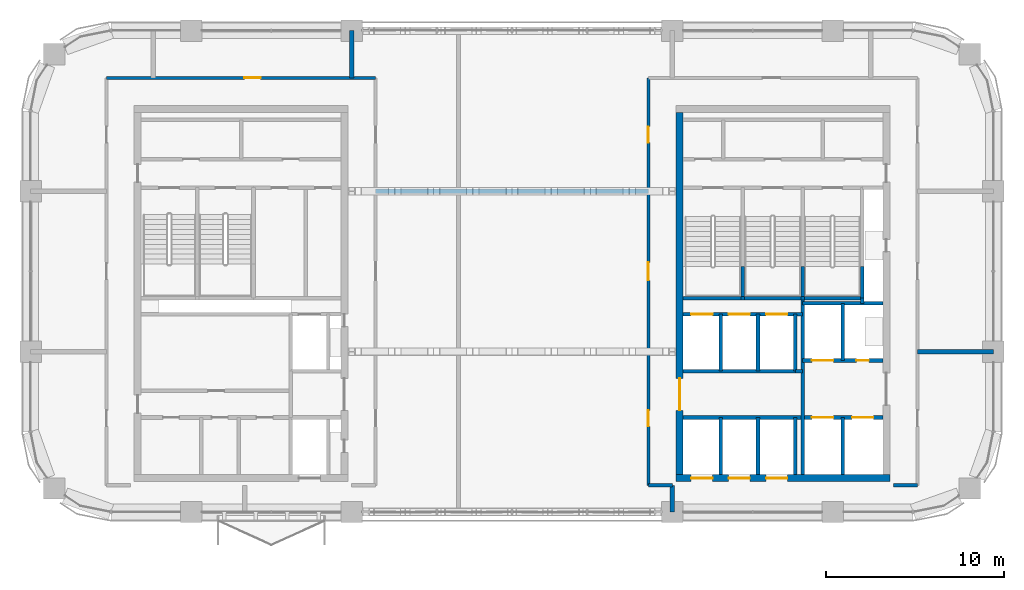
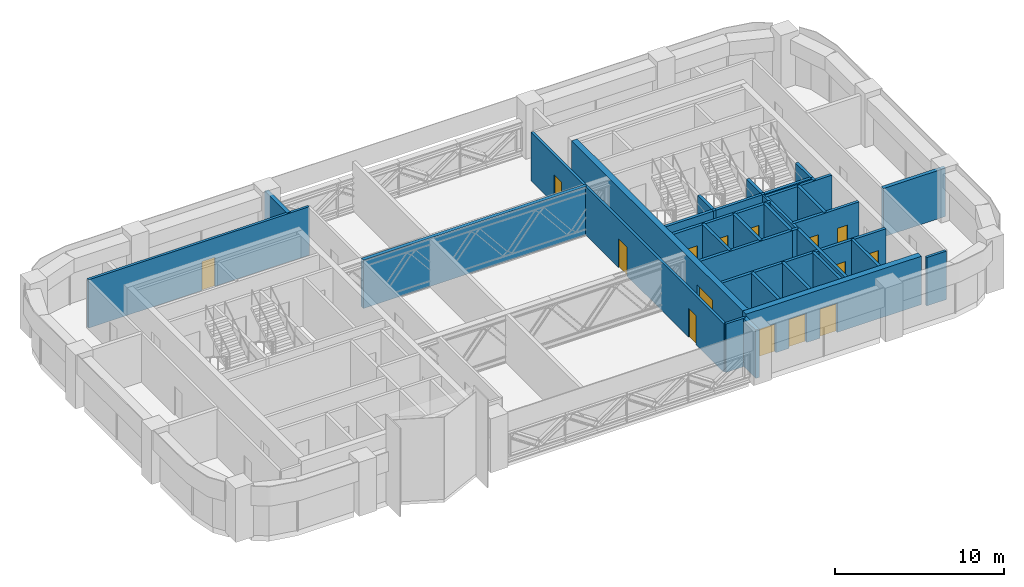
# One storey, part 10 of 14: 34 walls, 15 doors, 15 openings.
"""IFC4 building model written with IfcOpenShell, lengths in metres."""

from ifc_helpers import new_model, si_unit, direction, frame, frame_2d, origin, place, context, subcontext, project, spatial, rectangle, extrude, material, layer, layer_set, type_object, element, fill, save


model = new_model("IFC4")

# Units and contexts
model_context = context("Model", 3, precision=1e-05, world=origin(), true_north=direction((0.0, 1.0)))
body_context = subcontext(model_context, "Body", "Model", "MODEL_VIEW")
ifc_project = project(units=[si_unit("LENGTHUNIT", "METRE"), si_unit("AREAUNIT", "SQUARE_METRE"), si_unit("VOLUMEUNIT", "CUBIC_METRE"), si_unit("PLANEANGLEUNIT", "RADIAN"), si_unit("MASSUNIT", "GRAM", prefix="KILO")], contexts=[model_context])

# Site, building, storey
site_placement = place(None, origin())
site = spatial("IfcSite", under=ifc_project, at=site_placement, CompositionType="ELEMENT")
building_placement = place(site_placement, origin())
building = spatial("IfcBuilding", under=site, at=building_placement, Name="Tessera Arch", CompositionType="ELEMENT")
storey_placement = place(building_placement, frame((0.0, 0.0, 226.699951171875)))
storey = spatial("IfcBuildingStorey", under=building, at=storey_placement, Name="L54", CompositionType="ELEMENT", Elevation=226.699951171875)

# Wall
ifc_material_1 = material(Name="Gypsum board on steel stud", Category="steel")
ifc_layer_1 = layer(ifc_material_1, 0.125)
ifc_layer_set_1 = layer_set([ifc_layer_1], Name="Core partition 125 EI 60")
wall_type_1 = type_object("IfcWallType", Name="Core partition 125 EI 60", PredefinedType="PARTITIONING", material=ifc_layer_set_1)
wall_1_placement = place(storey_placement, frame((42.89990234375, 34.89990234375, 0.0), z_axis=(0.0, 0.0, 1.0), x_axis=(1.0, 0.0, 0.0)))
element("IfcWall", 1, at=wall_1_placement, inside=storey, type_object=wall_type_1, Name="L54 C1 partition wall 20", PredefinedType="PARTITIONING", context=body_context, shape_type="SweptSolid", body=[
    extrude(rectangle(XDim=0.400146484375, YDim=0.199951171875, at=frame_2d((0.2001953125, 0.0))), origin(), (0.0, 0.0, 1.0), 3.5),
])

# Wall, openings, doors
ifc_material_2 = material(Name="Concrete C50/60", Category="concrete")
ifc_layer_2 = layer(ifc_material_2, 0.39990234375)
ifc_layer_set_2 = layer_set([ifc_layer_2], Name="Core shell wall 400 C50-60")
wall_type_2 = type_object("IfcWallType", Name="Core shell wall 400 C50-60", PredefinedType="SHEAR", material=ifc_layer_set_2)
wall_2_placement = place(storey_placement, frame((36.199951171875, 28.89990234375, 0.0), z_axis=(0.0, 0.0, 1.0), x_axis=(1.0, 0.0, 0.0)))
wall_2 = element("IfcWall", 2, at=wall_2_placement, inside=storey, type_object=wall_type_2, Name="L54 C1 core wall S", PredefinedType="SHEAR", context=body_context, shape_type="SweptSolid", body=[
    extrude(rectangle(XDim=12.0, YDim=0.39990234375, at=frame_2d((6.0, 0.0))), origin(), (0.0, 0.0, 1.0), 3.5),
])
opening_1_placement = place(wall_2_placement, frame((0.85009765625, 0.0, 0.0)))
opening_1 = element("IfcOpeningElement", 3, at=opening_1_placement, cuts=wall_2, Name="Opening L54-C01", PredefinedType="OPENING", context=body_context, shape_type="SweptSolid", body=[
    extrude(rectangle(XDim=1.199951171875, YDim=2.10009765625, at=frame_2d((0.60009765625, 1.050048828125))), frame((0.0, 0.2099609375, 0.0), z_axis=(0.0, -1.0, 0.0), x_axis=(1.0, 0.0, 0.0)), (0.0, 0.0, 1.0), 0.419921875),
])
opening_2_placement = place(wall_2_placement, frame((2.949951171875, 0.0, 0.0)))
opening_2 = element("IfcOpeningElement", 4, at=opening_2_placement, cuts=wall_2, Name="Opening L54-C03", PredefinedType="OPENING", context=body_context, shape_type="SweptSolid", body=[
    extrude(rectangle(XDim=1.199951171875, YDim=2.10009765625, at=frame_2d((0.60009765625, 1.050048828125))), frame((0.0, 0.2099609375, 0.0), z_axis=(0.0, -1.0, 0.0), x_axis=(1.0, 0.0, 0.0)), (0.0, 0.0, 1.0), 0.419921875),
])
opening_3_placement = place(wall_2_placement, frame((5.050048828125, 0.0, 0.0)))
opening_3 = element("IfcOpeningElement", 5, at=opening_3_placement, cuts=wall_2, Name="Opening L54-C05", PredefinedType="OPENING", context=body_context, shape_type="SweptSolid", body=[
    extrude(rectangle(XDim=1.199951171875, YDim=2.10009765625, at=frame_2d((0.60009765625, 1.050048828125))), frame((0.0, 0.2099609375, 0.0), z_axis=(0.0, -1.0, 0.0), x_axis=(1.0, 0.0, 0.0)), (0.0, 0.0, 1.0), 0.419921875),
])
ifc_material_3 = material(Name="Stainless steel AISI 304", Category="steel")
door_type_1 = type_object("IfcDoorType", Name="Sliding landing door 1200 x 2100", OperationType="SLIDING_TO_LEFT", PredefinedType="DOOR", material=ifc_material_3)
door_1_placement = place(opening_1_placement, origin())
door_1 = element("IfcDoor", 6, at=door_1_placement, inside=storey, type_object=door_type_1, Name="L54 HR1 lift landing door C01 type LD", OperationType="SLIDING_TO_LEFT", OverallHeight=2.10009765625, OverallWidth=1.199951171875, PredefinedType="DOOR", context=body_context, shape_type="SweptSolid", body=[
    extrude(rectangle(XDim=1.199951171875, YDim=2.10009765625, at=frame_2d((0.60009765625, 1.050048828125))), frame((0.0, 0.02490234375, 0.0), z_axis=(0.0, -1.0, 0.0), x_axis=(1.0, 0.0, 0.0)), (0.0, 0.0, 1.0), 0.050048828125),
])
fill(opening_1, door_1)
door_2_placement = place(opening_2_placement, origin())
door_2 = element("IfcDoor", 7, at=door_2_placement, inside=storey, type_object=door_type_1, Name="L54 HR2 lift landing door C03 type LD", OperationType="SLIDING_TO_LEFT", OverallHeight=2.10009765625, OverallWidth=1.199951171875, PredefinedType="DOOR", context=body_context, shape_type="SweptSolid", body=[
    extrude(rectangle(XDim=1.199951171875, YDim=2.10009765625, at=frame_2d((0.60009765625, 1.050048828125))), frame((0.0, 0.02490234375, 0.0), z_axis=(0.0, -1.0, 0.0), x_axis=(1.0, 0.0, 0.0)), (0.0, 0.0, 1.0), 0.050048828125),
])
fill(opening_2, door_2)
door_3_placement = place(opening_3_placement, origin())
door_3 = element("IfcDoor", 8, at=door_3_placement, inside=storey, type_object=door_type_1, Name="L54 HR3 lift landing door C05 type LD", OperationType="SLIDING_TO_LEFT", OverallHeight=2.10009765625, OverallWidth=1.199951171875, PredefinedType="DOOR", context=body_context, shape_type="SweptSolid", body=[
    extrude(rectangle(XDim=1.199951171875, YDim=2.10009765625, at=frame_2d((0.60009765625, 1.050048828125))), frame((0.0, 0.02490234375, 0.0), z_axis=(0.0, -1.0, 0.0), x_axis=(1.0, 0.0, 0.0)), (0.0, 0.0, 1.0), 0.050048828125),
])
fill(opening_3, door_3)

# Wall, opening, door
wall_3_placement = place(storey_placement, frame((36.39990234375, 29.10009765625, 0.0), z_axis=(0.0, 0.0, 1.0), x_axis=(0.0, 1.0, 0.0)))
wall_3 = element("IfcWall", 9, at=wall_3_placement, inside=storey, type_object=wall_type_2, Name="L54 C1 core wall W", PredefinedType="SHEAR", context=body_context, shape_type="SweptSolid", body=[
    extrude(rectangle(XDim=20.2998046875, YDim=0.39990234375, at=frame_2d((10.14990234375, 0.0))), origin(), (0.0, 0.0, 1.0), 3.5),
])
opening_4_placement = place(wall_3_placement, frame((3.60009765625, 0.0, 0.0)))
opening_4 = element("IfcOpeningElement", 10, at=opening_4_placement, cuts=wall_3, Name="Opening L54-C10", PredefinedType="OPENING", context=body_context, shape_type="SweptSolid", body=[
    extrude(rectangle(XDim=1.800048828125, YDim=2.10009765625, at=frame_2d((0.89990234375, 1.050048828125))), frame((0.0, 0.2099609375, 0.0), z_axis=(0.0, -1.0, 0.0), x_axis=(1.0, 0.0, 0.0)), (0.0, 0.0, 1.0), 0.419921875),
])
ifc_material_4 = material(Name="Glazed steel door leaf", Category="steel")
door_type_2 = type_object("IfcDoorType", Name="Lobby double door FD30S 1800 x 2100", OperationType="DOUBLE_DOOR_SINGLE_SWING", PredefinedType="DOOR", material=ifc_material_4)
door_4_placement = place(opening_4_placement, origin())
door_4 = element("IfcDoor", 11, at=door_4_placement, inside=storey, type_object=door_type_2, Name="L54 C1 door 10 C10 type D06", OperationType="DOUBLE_DOOR_SINGLE_SWING", OverallHeight=2.10009765625, OverallWidth=1.800048828125, PredefinedType="DOOR", context=body_context, shape_type="SweptSolid", body=[
    extrude(rectangle(XDim=1.800048828125, YDim=2.10009765625, at=frame_2d((0.89990234375, 1.050048828125))), frame((0.0, 0.02490234375, 0.0), z_axis=(0.0, -1.0, 0.0), x_axis=(1.0, 0.0, 0.0)), (0.0, 0.0, 1.0), 0.050048828125),
])
fill(opening_4, door_4)

# Walls
ifc_material_5 = material(Name="Gypsum board on deep steel stud with mineral wool", Category="steel")
ifc_layer_3 = layer(ifc_material_5, 0.175048828125)
ifc_layer_set_3 = layer_set([ifc_layer_3], Name="Corridor wall 175 EI 60")
wall_type_3 = type_object("IfcWallType", Name="Corridor wall 175 EI 60", PredefinedType="PARTITIONING", material=ifc_layer_set_3)
for number, where, z_axis, x_axis, name in (
    (12, (34.64990234375, 28.5, 0.0), (0.0, 0.0, 1.0), (1.0, 0.0, 0.0), "L54 partition 3"),
    (13, (48.39990234375, 28.5, 0.0), (0.0, 0.0, 1.0), (1.0, 0.0, 0.0), "L54 partition 4"),
):
    element("IfcWall", number, at=place(storey_placement, frame(where, z_axis=z_axis, x_axis=x_axis)), inside=storey, type_object=wall_type_3, Name=name, PredefinedType="PARTITIONING", context=body_context, shape_type="SweptSolid", body=[
        extrude(rectangle(XDim=1.35009765625, YDim=0.175048828125, at=frame_2d((0.675048828125, 0.0))), origin(), (0.0, 0.0, 1.0), 3.5),
    ])

# Wall, opening, door
wall_4_placement = place(storey_placement, frame((4.25, 51.35009765625, 0.0), z_axis=(0.0, 0.0, 1.0), x_axis=(1.0, 0.0, 0.0)))
wall_4 = element("IfcWall", 14, at=wall_4_placement, inside=storey, type_object=wall_type_3, Name="L54 partition 5", PredefinedType="PARTITIONING", context=body_context, shape_type="SweptSolid", body=[
    extrude(rectangle(XDim=15.10009765625, YDim=0.175048828125, at=frame_2d((7.550048828125, 0.0))), origin(), (0.0, 0.0, 1.0), 3.5),
])
opening_5_placement = place(wall_4_placement, frame((7.7431640625, 0.0, 0.0)))
opening_5 = element("IfcOpeningElement", 15, at=opening_5_placement, cuts=wall_4, Name="Opening L54-D013", PredefinedType="OPENING", context=body_context, shape_type="SweptSolid", body=[
    extrude(rectangle(XDim=0.89990234375, YDim=2.10009765625, at=frame_2d((0.449951171875, 1.050048828125))), frame((0.0, 0.097412109375, 0.0), z_axis=(0.0, -1.0, 0.0), x_axis=(1.0, 0.0, 0.0)), (0.0, 0.0, 1.0), 0.195068359375),
])
ifc_material_6 = material(Name="Timber door leaf", Category="wood")
door_type_3 = type_object("IfcDoorType", Name="Room door 900 x 2100", OperationType="SINGLE_SWING_LEFT", PredefinedType="DOOR", material=ifc_material_6)
door_5_placement = place(opening_5_placement, origin())
door_5 = element("IfcDoor", 16, at=door_5_placement, inside=storey, type_object=door_type_3, Name="L54 door D013 type D01", OperationType="SINGLE_SWING_LEFT", OverallHeight=2.10009765625, OverallWidth=0.89990234375, PredefinedType="DOOR", context=body_context, shape_type="SweptSolid", body=[
    extrude(rectangle(XDim=0.89990234375, YDim=2.10009765625, at=frame_2d((0.449951171875, 1.050048828125))), frame((0.0, 0.02490234375, 0.0), z_axis=(0.0, -1.0, 0.0), x_axis=(1.0, 0.0, 0.0)), (0.0, 0.0, 1.0), 0.050048828125),
])
fill(opening_5, door_5)

# Wall, openings, doors
wall_5_placement = place(storey_placement, frame((34.64990234375, 28.5, 0.0), z_axis=(0.0, 0.0, 1.0), x_axis=(0.0, 1.0, 0.0)))
wall_5 = element("IfcWall", 17, at=wall_5_placement, inside=storey, type_object=wall_type_3, Name="L54 partition 9", PredefinedType="PARTITIONING", context=body_context, shape_type="SweptSolid", body=[
    extrude(rectangle(XDim=22.85009765625, YDim=0.175048828125, at=frame_2d((11.425048828125, 0.0))), origin(), (0.0, 0.0, 1.0), 3.5),
])
opening_6_placement = place(wall_5_placement, frame((3.300048828125, 0.0, 0.0)))
opening_6 = element("IfcOpeningElement", 18, at=opening_6_placement, cuts=wall_5, Name="Opening L54-D004", PredefinedType="OPENING", context=body_context, shape_type="SweptSolid", body=[
    extrude(rectangle(XDim=0.89990234375, YDim=2.10009765625, at=frame_2d((0.449951171875, 1.050048828125))), frame((0.0, 0.097412109375, 0.0), z_axis=(0.0, -1.0, 0.0), x_axis=(1.0, 0.0, 0.0)), (0.0, 0.0, 1.0), 0.195068359375),
])
opening_7_placement = place(wall_5_placement, frame((11.5, 0.0, 0.0)))
opening_7 = element("IfcOpeningElement", 19, at=opening_7_placement, cuts=wall_5, Name="Opening L54-D007", PredefinedType="OPENING", context=body_context, shape_type="SweptSolid", body=[
    extrude(rectangle(XDim=1.0, YDim=2.10009765625, at=frame_2d((0.5, 1.050048828125))), frame((0.0, 0.097412109375, 0.0), z_axis=(0.0, -1.0, 0.0), x_axis=(1.0, 0.0, 0.0)), (0.0, 0.0, 1.0), 0.195068359375),
])
opening_8_placement = place(wall_5_placement, frame((19.22509765625, 0.0, 0.0)))
opening_8 = element("IfcOpeningElement", 20, at=opening_8_placement, cuts=wall_5, Name="Opening L54-D010", PredefinedType="OPENING", context=body_context, shape_type="SweptSolid", body=[
    extrude(rectangle(XDim=0.89990234375, YDim=2.10009765625, at=frame_2d((0.449951171875, 1.050048828125))), frame((0.0, 0.097412109375, 0.0), z_axis=(0.0, -1.0, 0.0), x_axis=(1.0, 0.0, 0.0)), (0.0, 0.0, 1.0), 0.195068359375),
])
ifc_material_7 = material(Name="Fire-rated door leaf")
door_type_4 = type_object("IfcDoorType", Name="Entrance door FD30S 1000 x 2100", OperationType="SINGLE_SWING_LEFT", PredefinedType="DOOR", material=ifc_material_7)
door_6_placement = place(opening_7_placement, origin())
door_6 = element("IfcDoor", 21, at=door_6_placement, inside=storey, type_object=door_type_4, Name="L54 door D007 type D03", OperationType="SINGLE_SWING_LEFT", OverallHeight=2.10009765625, OverallWidth=1.0, PredefinedType="DOOR", context=body_context, shape_type="SweptSolid", body=[
    extrude(rectangle(XDim=1.0, YDim=2.10009765625, at=frame_2d((0.5, 1.050048828125))), frame((0.0, 0.02490234375, 0.0), z_axis=(0.0, -1.0, 0.0), x_axis=(1.0, 0.0, 0.0)), (0.0, 0.0, 1.0), 0.050048828125),
])
fill(opening_7, door_6)
door_7_placement = place(opening_6_placement, origin())
door_7 = element("IfcDoor", 22, at=door_7_placement, inside=storey, type_object=door_type_3, Name="L54 door D004 type D01", OperationType="SINGLE_SWING_RIGHT", OverallHeight=2.10009765625, OverallWidth=0.89990234375, PredefinedType="DOOR", context=body_context, shape_type="SweptSolid", body=[
    extrude(rectangle(XDim=0.89990234375, YDim=2.10009765625, at=frame_2d((0.449951171875, 1.050048828125))), frame((0.0, 0.02490234375, 0.0), z_axis=(0.0, -1.0, 0.0), x_axis=(1.0, 0.0, 0.0)), (0.0, 0.0, 1.0), 0.050048828125),
])
fill(opening_6, door_7)
door_8_placement = place(opening_8_placement, origin())
door_8 = element("IfcDoor", 23, at=door_8_placement, inside=storey, type_object=door_type_3, Name="L54 door D010 type D01", OperationType="SINGLE_SWING_RIGHT", OverallHeight=2.10009765625, OverallWidth=0.89990234375, PredefinedType="DOOR", context=body_context, shape_type="SweptSolid", body=[
    extrude(rectangle(XDim=0.89990234375, YDim=2.10009765625, at=frame_2d((0.449951171875, 1.050048828125))), frame((0.0, 0.02490234375, 0.0), z_axis=(0.0, -1.0, 0.0), x_axis=(1.0, 0.0, 0.0)), (0.0, 0.0, 1.0), 0.050048828125),
])
fill(opening_8, door_8)

# Walls
ifc_material_8 = material(Name="Double gypsum board on twin steel stud with acoustic mineral wool", Category="steel")
ifc_layer_4 = layer(ifc_material_8, 0.25)
ifc_layer_set_4 = layer_set([ifc_layer_4], Name="Party wall 250 EI 60")
wall_type_4 = type_object("IfcWallType", Name="Party wall 250 EI 60", PredefinedType="PARTITIONING", material=ifc_layer_set_4)
wall_6_placement = place(storey_placement, frame((49.75, 36.0, 0.0), z_axis=(0.0, 0.0, 1.0), x_axis=(1.0, 0.0, 0.0)))
element("IfcWall", 24, at=wall_6_placement, inside=storey, type_object=wall_type_4, Name="L54 partition 13", PredefinedType="PARTITIONING", context=body_context, shape_type="SweptSolid", body=[
    extrude(rectangle(XDim=4.25, YDim=0.25, at=frame_2d((2.125, 0.0))), origin(), (0.0, 0.0, 1.0), 3.5),
])
wall_7_placement = place(storey_placement, frame((19.35009765625, 45.0, 0.0), z_axis=(0.0, 0.0, 1.0), x_axis=(1.0, 0.0, 0.0)))
element("IfcWall", 25, at=wall_7_placement, inside=storey, type_object=wall_type_4, Name="L54 partition 15", PredefinedType="PARTITIONING", context=body_context, shape_type="SweptSolid", body=[
    extrude(rectangle(XDim=15.2998046875, YDim=0.25, at=frame_2d((7.64990234375, 0.0))), origin(), (0.0, 0.0, 1.0), 3.5),
])
wall_8_placement = place(storey_placement, frame((18.0, 51.35009765625, 0.0), z_axis=(0.0, 0.0, 1.0), x_axis=(0.0, 1.0, 0.0)))
element("IfcWall", 26, at=wall_8_placement, inside=storey, type_object=wall_type_4, Name="L54 partition 19", PredefinedType="PARTITIONING", context=body_context, shape_type="SweptSolid", body=[
    extrude(rectangle(XDim=2.64990234375, YDim=0.25, at=frame_2d((1.324951171875, 0.0))), origin(), (0.0, 0.0, 1.0), 3.5),
])
wall_9_placement = place(storey_placement, frame((36.0, 27.0, 0.0), z_axis=(0.0, 0.0, 1.0), x_axis=(0.0, 1.0, 0.0)))
element("IfcWall", 27, at=wall_9_placement, inside=storey, type_object=wall_type_4, Name="L54 partition 21", PredefinedType="PARTITIONING", context=body_context, shape_type="SweptSolid", body=[
    extrude(rectangle(XDim=1.5, YDim=0.25, at=frame_2d((0.75, 0.0))), origin(), (0.0, 0.0, 1.0), 3.5),
])
ifc_material_9 = material(Name="Concrete C40/50", Category="concrete")
ifc_layer_5 = layer(ifc_material_9, 0.199951171875)
ifc_layer_set_5 = layer_set([ifc_layer_5], Name="Shaft wall 200 EI 120")
wall_type_5 = type_object("IfcWallType", Name="Shaft wall 200 EI 120", PredefinedType="SOLIDWALL", material=ifc_layer_set_5)
wall_10_placement = place(storey_placement, frame((38.699951171875, 29.10009765625, 0.0), z_axis=(0.0, 0.0, 1.0), x_axis=(0.0, 1.0, 0.0)))
element("IfcWall", 28, at=wall_10_placement, inside=storey, type_object=wall_type_5, Name="L54 C1 shaft wall 1", PredefinedType="SOLIDWALL", context=body_context, shape_type="SweptSolid", body=[
    extrude(rectangle(XDim=3.199951171875, YDim=0.199951171875, at=frame_2d((1.60009765625, 0.0))), origin(), (0.0, 0.0, 1.0), 3.5),
])
wall_11_placement = place(storey_placement, frame((38.699951171875, 34.89990234375, 0.0), z_axis=(0.0, 0.0, 1.0), x_axis=(0.0, 1.0, 0.0)))
element("IfcWall", 29, at=wall_11_placement, inside=storey, type_object=wall_type_5, Name="L54 C1 shaft wall 2", PredefinedType="SOLIDWALL", context=body_context, shape_type="SweptSolid", body=[
    extrude(rectangle(XDim=3.2001953125, YDim=0.199951171875, at=frame_2d((1.60009765625, 0.0))), origin(), (0.0, 0.0, 1.0), 3.5),
])
wall_12_placement = place(storey_placement, frame((40.800048828125, 29.10009765625, 0.0), z_axis=(0.0, 0.0, 1.0), x_axis=(0.0, 1.0, 0.0)))
element("IfcWall", 30, at=wall_12_placement, inside=storey, type_object=wall_type_5, Name="L54 C1 shaft wall 6", PredefinedType="SOLIDWALL", context=body_context, shape_type="SweptSolid", body=[
    extrude(rectangle(XDim=3.199951171875, YDim=0.199951171875, at=frame_2d((1.60009765625, 0.0))), origin(), (0.0, 0.0, 1.0), 3.5),
])
wall_13_placement = place(storey_placement, frame((40.800048828125, 34.89990234375, 0.0), z_axis=(0.0, 0.0, 1.0), x_axis=(0.0, 1.0, 0.0)))
element("IfcWall", 31, at=wall_13_placement, inside=storey, type_object=wall_type_5, Name="L54 C1 shaft wall 7", PredefinedType="SOLIDWALL", context=body_context, shape_type="SweptSolid", body=[
    extrude(rectangle(XDim=3.2001953125, YDim=0.199951171875, at=frame_2d((1.60009765625, 0.0))), origin(), (0.0, 0.0, 1.0), 3.5),
])
wall_14_placement = place(storey_placement, frame((42.89990234375, 29.10009765625, 0.0), z_axis=(0.0, 0.0, 1.0), x_axis=(0.0, 1.0, 0.0)))
element("IfcWall", 32, at=wall_14_placement, inside=storey, type_object=wall_type_5, Name="L54 C1 shaft wall 8", PredefinedType="SOLIDWALL", context=body_context, shape_type="SweptSolid", body=[
    extrude(rectangle(XDim=3.199951171875, YDim=0.199951171875, at=frame_2d((1.60009765625, 0.0))), origin(), (0.0, 0.0, 1.0), 3.5),
])
wall_15_placement = place(storey_placement, frame((42.89990234375, 34.89990234375, 0.0), z_axis=(0.0, 0.0, 1.0), x_axis=(0.0, 1.0, 0.0)))
element("IfcWall", 33, at=wall_15_placement, inside=storey, type_object=wall_type_5, Name="L54 C1 shaft wall 9", PredefinedType="SOLIDWALL", context=body_context, shape_type="SweptSolid", body=[
    extrude(rectangle(XDim=3.2001953125, YDim=0.199951171875, at=frame_2d((1.60009765625, 0.0))), origin(), (0.0, 0.0, 1.0), 3.5),
])
wall_16_placement = place(storey_placement, frame((43.300048828125, 29.10009765625, 0.0), z_axis=(0.0, 0.0, 1.0), x_axis=(0.0, 1.0, 0.0)))
element("IfcWall", 34, at=wall_16_placement, inside=storey, type_object=wall_type_5, Name="L54 C1 shaft wall 10", PredefinedType="SOLIDWALL", context=body_context, shape_type="SweptSolid", body=[
    extrude(rectangle(XDim=9.89990234375, YDim=0.199951171875, at=frame_2d((4.949951171875, 0.0))), origin(), (0.0, 0.0, 1.0), 3.5),
])
for number, where, z_axis, x_axis, name in (
    (35, (45.550048828125, 29.10009765625, 0.0), (0.0, 0.0, 1.0), (0.0, 1.0, 0.0), "L54 C1 shaft wall 14"),
    (36, (45.550048828125, 35.5, 0.0), (0.0, 0.0, 1.0), (0.0, 1.0, 0.0), "L54 C1 shaft wall 15"),
):
    element("IfcWall", number, at=place(storey_placement, frame(where, z_axis=z_axis, x_axis=x_axis)), inside=storey, type_object=wall_type_5, Name=name, PredefinedType="SOLIDWALL", context=body_context, shape_type="SweptSolid", body=[
        extrude(rectangle(XDim=3.199951171875, YDim=0.199951171875, at=frame_2d((1.60009765625, 0.0))), origin(), (0.0, 0.0, 1.0), 3.5),
    ])
wall_17_placement = place(storey_placement, frame((46.64990234375, 38.699951171875, 0.0), z_axis=(0.0, 0.0, 1.0), x_axis=(0.0, 1.0, 0.0)))
element("IfcWall", 37, at=wall_17_placement, inside=storey, type_object=wall_type_5, Name="L54 C1 shaft wall 16", PredefinedType="SOLIDWALL", context=body_context, shape_type="SweptSolid", body=[
    extrude(rectangle(XDim=0.300048828125, YDim=0.199951171875, at=frame_2d((0.14990234375, 0.0))), origin(), (0.0, 0.0, 1.0), 3.5),
])

# Wall, openings, doors
wall_18_placement = place(storey_placement, frame((36.60009765625, 32.300048828125, 0.0), z_axis=(0.0, 0.0, 1.0), x_axis=(1.0, 0.0, 0.0)))
wall_18 = element("IfcWall", 38, at=wall_18_placement, inside=storey, type_object=wall_type_5, Name="L54 C1 shaft wall 19", PredefinedType="SOLIDWALL", context=body_context, shape_type="SweptSolid", body=[
    extrude(rectangle(XDim=11.199951171875, YDim=0.199951171875, at=frame_2d((5.60009765625, 0.0))), origin(), (0.0, 0.0, 1.0), 3.5),
])
opening_9_placement = place(wall_18_placement, frame((7.22509765625, 0.0, 0.0)))
opening_9 = element("IfcOpeningElement", 39, at=opening_9_placement, cuts=wall_18, Name="Opening L54-C07", PredefinedType="OPENING", context=body_context, shape_type="SweptSolid", body=[
    extrude(rectangle(XDim=1.199951171875, YDim=2.10009765625, at=frame_2d((0.60009765625, 1.050048828125))), frame((0.0, 0.10986328125, 0.0), z_axis=(0.0, -1.0, 0.0), x_axis=(1.0, 0.0, 0.0)), (0.0, 0.0, 1.0), 0.219970703125),
])
opening_10_placement = place(wall_18_placement, frame((9.47509765625, 0.0, 0.0)))
opening_10 = element("IfcOpeningElement", 40, at=opening_10_placement, cuts=wall_18, Name="Opening L54-C08", PredefinedType="OPENING", context=body_context, shape_type="SweptSolid", body=[
    extrude(rectangle(XDim=1.199951171875, YDim=2.10009765625, at=frame_2d((0.60009765625, 1.050048828125))), frame((0.0, 0.10986328125, 0.0), z_axis=(0.0, -1.0, 0.0), x_axis=(1.0, 0.0, 0.0)), (0.0, 0.0, 1.0), 0.219970703125),
])
door_9_placement = place(opening_9_placement, origin())
door_9 = element("IfcDoor", 41, at=door_9_placement, inside=storey, type_object=door_type_1, Name="L54 FF1 lift landing door C07 type LD", OperationType="SLIDING_TO_LEFT", OverallHeight=2.10009765625, OverallWidth=1.199951171875, PredefinedType="DOOR", context=body_context, shape_type="SweptSolid", body=[
    extrude(rectangle(XDim=1.199951171875, YDim=2.10009765625, at=frame_2d((0.60009765625, 1.050048828125))), frame((0.0, 0.02490234375, 0.0), z_axis=(0.0, -1.0, 0.0), x_axis=(1.0, 0.0, 0.0)), (0.0, 0.0, 1.0), 0.050048828125),
])
fill(opening_9, door_9)
door_10_placement = place(opening_10_placement, origin())
door_10 = element("IfcDoor", 42, at=door_10_placement, inside=storey, type_object=door_type_1, Name="L54 FF2 lift landing door C08 type LD", OperationType="SLIDING_TO_LEFT", OverallHeight=2.10009765625, OverallWidth=1.199951171875, PredefinedType="DOOR", context=body_context, shape_type="SweptSolid", body=[
    extrude(rectangle(XDim=1.199951171875, YDim=2.10009765625, at=frame_2d((0.60009765625, 1.050048828125))), frame((0.0, 0.02490234375, 0.0), z_axis=(0.0, -1.0, 0.0), x_axis=(1.0, 0.0, 0.0)), (0.0, 0.0, 1.0), 0.050048828125),
])
fill(opening_10, door_10)

# Wall
wall_19_placement = place(storey_placement, frame((36.60009765625, 34.89990234375, 0.0), z_axis=(0.0, 0.0, 1.0), x_axis=(1.0, 0.0, 0.0)))
element("IfcWall", 43, at=wall_19_placement, inside=storey, type_object=wall_type_5, Name="L54 C1 shaft wall 21", PredefinedType="SOLIDWALL", context=body_context, shape_type="SweptSolid", body=[
    extrude(rectangle(XDim=6.2998046875, YDim=0.199951171875, at=frame_2d((3.14990234375, 0.0))), origin(), (0.0, 0.0, 1.0), 3.5),
])

# Wall, openings, doors
wall_20_placement = place(storey_placement, frame((43.300048828125, 35.5, 0.0), z_axis=(0.0, 0.0, 1.0), x_axis=(1.0, 0.0, 0.0)))
wall_20 = element("IfcWall", 44, at=wall_20_placement, inside=storey, type_object=wall_type_5, Name="L54 C1 shaft wall 22", PredefinedType="SOLIDWALL", context=body_context, shape_type="SweptSolid", body=[
    extrude(rectangle(XDim=4.5, YDim=0.199951171875, at=frame_2d((2.25, 0.0))), origin(), (0.0, 0.0, 1.0), 3.5),
])
opening_11_placement = place(wall_20_placement, frame((0.52490234375, 0.0, 0.0)))
opening_11 = element("IfcOpeningElement", 45, at=opening_11_placement, cuts=wall_20, Name="Opening L54-C09", PredefinedType="OPENING", context=body_context, shape_type="SweptSolid", body=[
    extrude(rectangle(XDim=1.199951171875, YDim=2.10009765625, at=frame_2d((0.60009765625, 1.050048828125))), frame((0.0, 0.10986328125, 0.0), z_axis=(0.0, -1.0, 0.0), x_axis=(1.0, 0.0, 0.0)), (0.0, 0.0, 1.0), 0.219970703125),
])
opening_12_placement = place(wall_20_placement, frame((3.02490234375, 0.0, 0.0)))
opening_12 = element("IfcOpeningElement", 46, at=opening_12_placement, cuts=wall_20, Name="Opening L54-C16", PredefinedType="OPENING", context=body_context, shape_type="SweptSolid", body=[
    extrude(rectangle(XDim=0.699951171875, YDim=2.10009765625, at=frame_2d((0.35009765625, 1.050048828125))), frame((0.0, 0.10986328125, 0.0), z_axis=(0.0, -1.0, 0.0), x_axis=(1.0, 0.0, 0.0)), (0.0, 0.0, 1.0), 0.219970703125),
])
ifc_material_10 = material(Name="Steel door leaf", Category="steel")
door_type_5 = type_object("IfcDoorType", Name="Service shaft door FD60 700 x 2100", OperationType="SINGLE_SWING_LEFT", PredefinedType="DOOR", material=ifc_material_10)
door_11_placement = place(opening_12_placement, origin())
door_11 = element("IfcDoor", 47, at=door_11_placement, inside=storey, type_object=door_type_5, Name="L54 C1 door 16 C16 type D07", OperationType="SINGLE_SWING_RIGHT", OverallHeight=2.10009765625, OverallWidth=0.699951171875, PredefinedType="DOOR", context=body_context, shape_type="SweptSolid", body=[
    extrude(rectangle(XDim=0.699951171875, YDim=2.10009765625, at=frame_2d((0.35009765625, 1.050048828125))), frame((0.0, 0.02490234375, 0.0), z_axis=(0.0, -1.0, 0.0), x_axis=(1.0, 0.0, 0.0)), (0.0, 0.0, 1.0), 0.050048828125),
])
fill(opening_12, door_11)
door_12_placement = place(opening_11_placement, origin())
door_12 = element("IfcDoor", 48, at=door_12_placement, inside=storey, type_object=door_type_1, Name="L54 SV2 lift landing door C09 type LD", OperationType="SLIDING_TO_LEFT", OverallHeight=2.10009765625, OverallWidth=1.199951171875, PredefinedType="DOOR", context=body_context, shape_type="SweptSolid", body=[
    extrude(rectangle(XDim=1.199951171875, YDim=2.10009765625, at=frame_2d((0.60009765625, 1.050048828125))), frame((0.0, 0.02490234375, 0.0), z_axis=(0.0, -1.0, 0.0), x_axis=(1.0, 0.0, 0.0)), (0.0, 0.0, 1.0), 0.050048828125),
])
fill(opening_11, door_12)

wall_21_placement = place(storey_placement, frame((36.60009765625, 38.10009765625, 0.0), z_axis=(0.0, 0.0, 1.0), x_axis=(1.0, 0.0, 0.0)))
wall_21 = element("IfcWall", 49, at=wall_21_placement, inside=storey, type_object=wall_type_5, Name="L54 C1 shaft wall 23", PredefinedType="SOLIDWALL", context=body_context, shape_type="SweptSolid", body=[
    extrude(rectangle(XDim=6.699951171875, YDim=0.199951171875, at=frame_2d((3.35009765625, 0.0))), origin(), (0.0, 0.0, 1.0), 3.5),
])
opening_13_placement = place(wall_21_placement, frame((0.449951171875, 0.0, 0.0)))
opening_13 = element("IfcOpeningElement", 50, at=opening_13_placement, cuts=wall_21, Name="Opening L54-C02", PredefinedType="OPENING", context=body_context, shape_type="SweptSolid", body=[
    extrude(rectangle(XDim=1.199951171875, YDim=2.10009765625, at=frame_2d((0.60009765625, 1.050048828125))), frame((0.0, 0.10986328125, 0.0), z_axis=(0.0, -1.0, 0.0), x_axis=(1.0, 0.0, 0.0)), (0.0, 0.0, 1.0), 0.219970703125),
])
opening_14_placement = place(wall_21_placement, frame((2.550048828125, 0.0, 0.0)))
opening_14 = element("IfcOpeningElement", 51, at=opening_14_placement, cuts=wall_21, Name="Opening L54-C04", PredefinedType="OPENING", context=body_context, shape_type="SweptSolid", body=[
    extrude(rectangle(XDim=1.199951171875, YDim=2.10009765625, at=frame_2d((0.60009765625, 1.050048828125))), frame((0.0, 0.10986328125, 0.0), z_axis=(0.0, -1.0, 0.0), x_axis=(1.0, 0.0, 0.0)), (0.0, 0.0, 1.0), 0.219970703125),
])
opening_15_placement = place(wall_21_placement, frame((4.64990234375, 0.0, 0.0)))
opening_15 = element("IfcOpeningElement", 52, at=opening_15_placement, cuts=wall_21, Name="Opening L54-C06", PredefinedType="OPENING", context=body_context, shape_type="SweptSolid", body=[
    extrude(rectangle(XDim=1.199951171875, YDim=2.10009765625, at=frame_2d((0.60009765625, 1.050048828125))), frame((0.0, 0.10986328125, 0.0), z_axis=(0.0, -1.0, 0.0), x_axis=(1.0, 0.0, 0.0)), (0.0, 0.0, 1.0), 0.219970703125),
])
door_13_placement = place(opening_13_placement, origin())
door_13 = element("IfcDoor", 53, at=door_13_placement, inside=storey, type_object=door_type_1, Name="L54 HR4 lift landing door C02 type LD", OperationType="SLIDING_TO_LEFT", OverallHeight=2.10009765625, OverallWidth=1.199951171875, PredefinedType="DOOR", context=body_context, shape_type="SweptSolid", body=[
    extrude(rectangle(XDim=1.199951171875, YDim=2.10009765625, at=frame_2d((0.60009765625, 1.050048828125))), frame((0.0, 0.02490234375, 0.0), z_axis=(0.0, -1.0, 0.0), x_axis=(1.0, 0.0, 0.0)), (0.0, 0.0, 1.0), 0.050048828125),
])
fill(opening_13, door_13)
door_14_placement = place(opening_14_placement, origin())
door_14 = element("IfcDoor", 54, at=door_14_placement, inside=storey, type_object=door_type_1, Name="L54 HR5 lift landing door C04 type LD", OperationType="SLIDING_TO_LEFT", OverallHeight=2.10009765625, OverallWidth=1.199951171875, PredefinedType="DOOR", context=body_context, shape_type="SweptSolid", body=[
    extrude(rectangle(XDim=1.199951171875, YDim=2.10009765625, at=frame_2d((0.60009765625, 1.050048828125))), frame((0.0, 0.02490234375, 0.0), z_axis=(0.0, -1.0, 0.0), x_axis=(1.0, 0.0, 0.0)), (0.0, 0.0, 1.0), 0.050048828125),
])
fill(opening_14, door_14)
door_15_placement = place(opening_15_placement, origin())
door_15 = element("IfcDoor", 55, at=door_15_placement, inside=storey, type_object=door_type_1, Name="L54 HR6 lift landing door C06 type LD", OperationType="SLIDING_TO_LEFT", OverallHeight=2.10009765625, OverallWidth=1.199951171875, PredefinedType="DOOR", context=body_context, shape_type="SweptSolid", body=[
    extrude(rectangle(XDim=1.199951171875, YDim=2.10009765625, at=frame_2d((0.60009765625, 1.050048828125))), frame((0.0, 0.02490234375, 0.0), z_axis=(0.0, -1.0, 0.0), x_axis=(1.0, 0.0, 0.0)), (0.0, 0.0, 1.0), 0.050048828125),
])
fill(opening_15, door_15)

# Walls
wall_22_placement = place(storey_placement, frame((43.300048828125, 38.699951171875, 0.0), z_axis=(0.0, 0.0, 1.0), x_axis=(1.0, 0.0, 0.0)))
element("IfcWall", 56, at=wall_22_placement, inside=storey, type_object=wall_type_5, Name="L54 C1 shaft wall 24", PredefinedType="SOLIDWALL", context=body_context, shape_type="SweptSolid", body=[
    extrude(rectangle(XDim=4.5, YDim=0.199951171875, at=frame_2d((2.25, 0.0))), origin(), (0.0, 0.0, 1.0), 3.5),
])
ifc_material_11 = material(Name="Concrete C40/50", Category="concrete")
ifc_layer_6 = layer(ifc_material_11, 0.199951171875)
ifc_layer_set_6 = layer_set([ifc_layer_6], Name="Stair well wall 200 REI 180")
wall_type_6 = type_object("IfcWallType", Name="Stair well wall 200 REI 180", PredefinedType="SOLIDWALL", material=ifc_layer_set_6)
for number, where, z_axis, x_axis, name in (
    (57, (39.949951171875, 39.0, 0.0), (0.0, 0.0, 1.0), (0.0, 1.0, 0.0), "L54 C1 shaft wall 4"),
    (58, (43.300048828125, 39.0, 0.0), (0.0, 0.0, 1.0), (0.0, 1.0, 0.0), "L54 C1 shaft wall 11"),
    (59, (46.64990234375, 39.0, 0.0), (0.0, 0.0, 1.0), (0.0, 1.0, 0.0), "L54 C1 shaft wall 17"),
):
    element("IfcWall", number, at=place(storey_placement, frame(where, z_axis=z_axis, x_axis=x_axis)), inside=storey, type_object=wall_type_6, Name=name, PredefinedType="SOLIDWALL", context=body_context, shape_type="SweptSolid", body=[
        extrude(rectangle(XDim=1.780029296875, YDim=0.199951171875, at=frame_2d((0.89013671875, 0.0))), origin(), (0.0, 0.0, 1.0), 3.5),
    ])
wall_23_placement = place(storey_placement, frame((36.60009765625, 39.0, 0.0), z_axis=(0.0, 0.0, 1.0), x_axis=(1.0, 0.0, 0.0)))
element("IfcWall", 60, at=wall_23_placement, inside=storey, type_object=wall_type_6, Name="L54 C1 shaft wall 25", PredefinedType="SOLIDWALL", context=body_context, shape_type="SweptSolid", body=[
    extrude(rectangle(XDim=3.25, YDim=0.199951171875, at=frame_2d((1.625, 0.0))), origin(), (0.0, 0.0, 1.0), 3.5),
])
wall_24_placement = place(storey_placement, frame((39.85009765625, 39.0, 0.0), z_axis=(0.0, 0.0, 1.0), x_axis=(1.0, 0.0, 0.0)))
element("IfcWall", 61, at=wall_24_placement, inside=storey, type_object=wall_type_6, Name="L54 C1 shaft wall 26", PredefinedType="SOLIDWALL", context=body_context, shape_type="SweptSolid", body=[
    extrude(rectangle(XDim=0.199951171875, YDim=0.199951171875, at=frame_2d((0.10009765625, 0.0))), origin(), (0.0, 0.0, 1.0), 3.5),
])
wall_25_placement = place(storey_placement, frame((40.050048828125, 39.0, 0.0), z_axis=(0.0, 0.0, 1.0), x_axis=(1.0, 0.0, 0.0)))
element("IfcWall", 62, at=wall_25_placement, inside=storey, type_object=wall_type_6, Name="L54 C1 shaft wall 27", PredefinedType="SOLIDWALL", context=body_context, shape_type="SweptSolid", body=[
    extrude(rectangle(XDim=3.14990234375, YDim=0.199951171875, at=frame_2d((1.574951171875, 0.0))), origin(), (0.0, 0.0, 1.0), 3.5),
])
wall_26_placement = place(storey_placement, frame((43.199951171875, 39.0, 0.0), z_axis=(0.0, 0.0, 1.0), x_axis=(1.0, 0.0, 0.0)))
element("IfcWall", 63, at=wall_26_placement, inside=storey, type_object=wall_type_6, Name="L54 C1 shaft wall 28", PredefinedType="SOLIDWALL", context=body_context, shape_type="SweptSolid", body=[
    extrude(rectangle(XDim=0.199951171875, YDim=0.199951171875, at=frame_2d((0.10009765625, 0.0))), origin(), (0.0, 0.0, 1.0), 3.5),
])
wall_27_placement = place(storey_placement, frame((43.39990234375, 39.0, 0.0), z_axis=(0.0, 0.0, 1.0), x_axis=(1.0, 0.0, 0.0)))
element("IfcWall", 64, at=wall_27_placement, inside=storey, type_object=wall_type_6, Name="L54 C1 shaft wall 29", PredefinedType="SOLIDWALL", context=body_context, shape_type="SweptSolid", body=[
    extrude(rectangle(XDim=3.25, YDim=0.199951171875, at=frame_2d((1.625, 0.0))), origin(), (0.0, 0.0, 1.0), 3.5),
])

save(model, "model.ifc")
